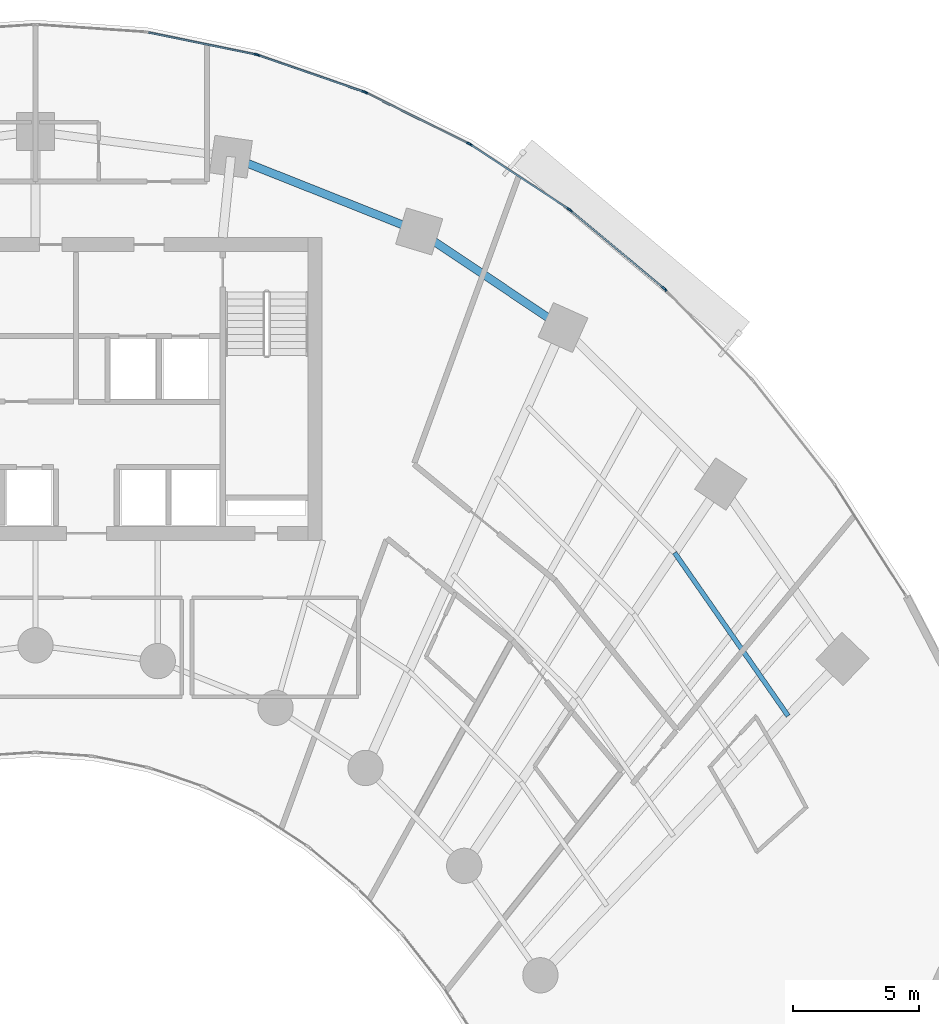
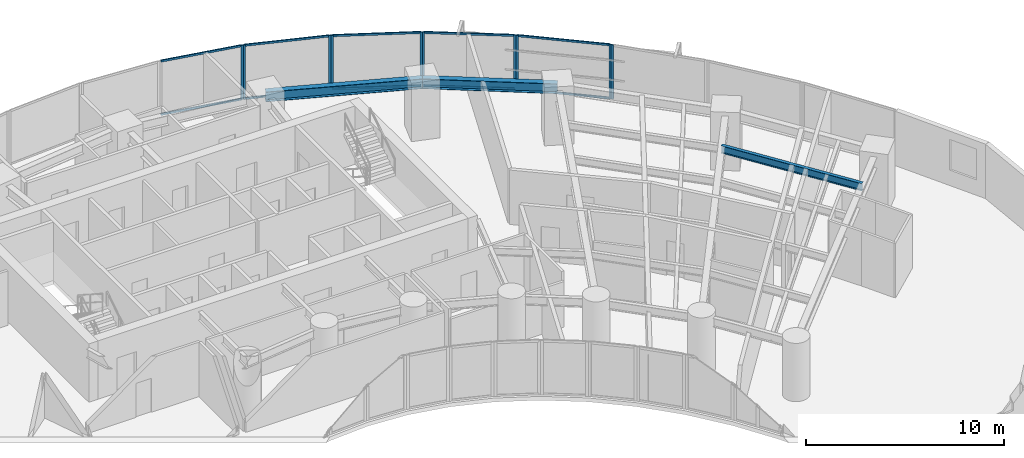
# One storey, part 7 of 17: 20 members, 3 beams, 6 elements without a shape of their own.
"""IFC4 building model written with IfcOpenShell, lengths in metres."""

from ifc_helpers import new_model, si_unit, direction, frame, origin, origin_2d, place, context, subcontext, project, spatial, rectangle, i_section, extrude, source, transform, mapped, material, layer, layer_set, material_profile, profile_set, type_object, type_shapes, element, aggregate, save


model = new_model("IFC4")

# Units and contexts
model_context = context("Model", 3, precision=1e-05, world=origin(), true_north=direction((0.0, 1.0)))
body_context = subcontext(model_context, "Body", "Model", "MODEL_VIEW")
ifc_project = project(units=[si_unit("LENGTHUNIT", "METRE"), si_unit("AREAUNIT", "SQUARE_METRE"), si_unit("VOLUMEUNIT", "CUBIC_METRE"), si_unit("PLANEANGLEUNIT", "RADIAN"), si_unit("MASSUNIT", "GRAM", prefix="KILO")], contexts=[model_context])

# Site, building, storey
site_placement = place(None, origin())
site = spatial("IfcSite", under=ifc_project, at=site_placement, CompositionType="ELEMENT")
building_placement = place(site_placement, origin())
building = spatial("IfcBuilding", under=site, at=building_placement, Name="Breltana Convention Tower", CompositionType="ELEMENT")
storey_placement = place(building_placement, frame((0.0, 0.0, 75.0)))
storey = spatial("IfcBuildingStorey", under=building, at=storey_placement, Name="L17", CompositionType="ELEMENT", Elevation=75.0)

# Beams
ifc_material_1 = material(Name="Steel ASTM A992 Grade 50", Category="steel")
ifc_material_profile_1 = material_profile(ifc_material_1, i_section(OverallWidth=0.323974609375, OverallDepth=0.611083984375, WebThickness=0.0126953125, FlangeThickness=0.01904296875, at=origin_2d()), Name="W24X104")
ifc_profile_set_1 = profile_set([ifc_material_profile_1], Name="Steel ASTM A992 Grade 50")
beam_type_1 = type_object("IfcBeamType", Name="BM-SP-W24X104", PredefinedType="SPANDREL", material=ifc_profile_set_1)
shared_shape_1 = source(origin(), body_context, "Body", "SweptSolid", [
    extrude(i_section(OverallWidth=0.323974609375, OverallDepth=0.611083984375, WebThickness=0.0126953125, FlangeThickness=0.01904296875, at=origin_2d()), origin(), (0.0, 0.0, 1.0), 8.028564453125),
])
beam_1_placement = place(storey_placement, frame((55.746826171875, 75.404296875, 3.054443359375), z_axis=(0.929459100394, -0.368925169507, 0.0), x_axis=(0.368925169507, 0.929459100394, 0.0)))
element("IfcBeam", 1, at=beam_1_placement, inside=storey, type_object=beam_type_1, Name="L17 Outer Spandrel Beam 07", PredefinedType="SPANDREL", context=body_context, shape_type="MappedRepresentation", body=[
    mapped(shared_shape_1, transform((0.0, 0.0, 0.0), scale=1.0)),
])
shared_shape_2 = source(origin(), body_context, "Body", "SweptSolid", [
    extrude(i_section(OverallWidth=0.323974609375, OverallDepth=0.611083984375, WebThickness=0.0126953125, FlangeThickness=0.01904296875, at=origin_2d()), origin(), (0.0, 0.0, 1.0), 6.856689453125),
])
beam_2_placement = place(storey_placement, frame((63.208984375, 72.4423828125, 3.054443359375), z_axis=(0.83150210718, -0.55552159792, 0.0), x_axis=(0.55552159792, 0.83150210718, 0.0)))
element("IfcBeam", 2, at=beam_2_placement, inside=storey, type_object=beam_type_1, Name="L17 Outer Spandrel Beam 08", PredefinedType="SPANDREL", context=body_context, shape_type="MappedRepresentation", body=[
    mapped(shared_shape_2, transform((0.0, 0.0, 0.0), scale=1.0)),
])
ifc_material_profile_2 = material_profile(ifc_material_1, i_section(OverallWidth=0.19091796875, OverallDepth=0.4599609375, WebThickness=0.010009765625, FlangeThickness=0.01611328125, at=origin_2d()), Name="W18X55")
ifc_profile_set_2 = profile_set([ifc_material_profile_2], Name="Steel ASTM A992 Grade 50")
beam_type_2 = type_object("IfcBeamType", Name="BM-JSG-07", PredefinedType="JOIST", material=ifc_profile_set_2)
shared_shape_3 = source(origin(), body_context, "Body", "SweptSolid", [
    extrude(i_section(OverallWidth=0.19091796875, OverallDepth=0.4599609375, WebThickness=0.010009765625, FlangeThickness=0.01611328125, at=origin_2d()), origin(), (0.0, 0.0, 1.0), 7.88037109375),
])
beam_3_placement = place(storey_placement, frame((73.3359375, 59.70556640625, 3.1298828125), z_axis=(0.571197916304, -0.820812366141, 0.0), x_axis=(0.820812366141, 0.571197916304, 0.0)))
element("IfcBeam", 3, at=beam_3_placement, inside=storey, type_object=beam_type_2, Name="L17 Composite Floor Joist 10.4", PredefinedType="JOIST", context=body_context, shape_type="MappedRepresentation", body=[
    mapped(shared_shape_3, transform((0.0, 0.0, 0.0), scale=1.0)),
])

# Curtain wall, member
ifc_material_2 = material(Name="Aluminium Anodised Bronze Frame", Category="aluminium")
ifc_layer = layer(ifc_material_2, 0.199951171875, Name="Aluminium Anodised Bronze Frame")
ifc_layer_set = layer_set([ifc_layer], Name="Aluminium Anodised Bronze Frame")
curtain_wall_type = type_object("IfcCurtainWallType", Name="CW-SYS-2", PredefinedType="NOTDEFINED", material=ifc_layer_set)
curtain_wall_1_placement = place(storey_placement, origin())
curtain_wall_1 = element("IfcCurtainWall", 4, at=curtain_wall_1_placement, inside=storey, type_object=curtain_wall_type, Name="L17 outer double-skin inner glazing 11", PredefinedType="NOTDEFINED")
ifc_material_3 = material(Name="Aluminium Anodised Bronze", Category="aluminium")
ifc_material_profile_3 = material_profile(ifc_material_3, rectangle(XDim=0.070068359375, YDim=0.175048828125, at=origin_2d()), Name="CWM-70X175")
ifc_profile_set_3 = profile_set([ifc_material_profile_3], Name="Aluminium Anodised Bronze")
member_type_1 = type_object("IfcMemberType", Name="CWM-175", PredefinedType="MULLION", material=ifc_profile_set_3)
shared_shape_4 = source(origin(), body_context, "Body", "SweptSolid", [
    extrude(rectangle(XDim=0.070068359375, YDim=0.175048828125, at=origin_2d()), origin(), (0.0, 0.0, 1.0), 3.360107421875),
])
type_shapes(member_type_1, [shared_shape_4])
member_1_placement = place(storey_placement, frame((56.7451171875, 79.45751953125, 0.0), z_axis=(0.0, 0.0, 1.0), x_axis=(0.200884537139, 0.979614925743, 0.0)))
member_1 = element("IfcMember", 5, at=member_1_placement, type_object=member_type_1, Name="CW-02 mullion 2", PredefinedType="MULLION", context=body_context, shape_type="MappedRepresentation", body=[
    mapped(shared_shape_4, transform((0.0, 0.0, 0.0), scale=1.0)),
])

# Curtain wall, members
curtain_wall_2_placement = place(storey_placement, origin())
curtain_wall_2 = element("IfcCurtainWall", 6, at=curtain_wall_2_placement, inside=storey, type_object=curtain_wall_type, Name="L17 outer double-skin inner glazing 12", PredefinedType="NOTDEFINED")
member_2_placement = place(storey_placement, frame((56.8125, 79.43896484375, 0.0), z_axis=(0.0, 0.0, 1.0), x_axis=(0.32742834581, 0.944876012163, 0.0)))
member_2 = element("IfcMember", 7, at=member_2_placement, type_object=member_type_1, Name="CW-02 mullion 1", PredefinedType="MULLION", context=body_context, shape_type="MappedRepresentation", body=[
    mapped(shared_shape_4, transform((0.0, 0.0, 0.0), scale=1.0)),
])
member_3_placement = place(storey_placement, frame((61.025146484375, 77.979248046875, 0.0), z_axis=(0.0, 0.0, 1.0), x_axis=(0.32742834581, 0.944876012163, 0.0)))
member_3 = element("IfcMember", 8, at=member_3_placement, type_object=member_type_1, Name="CW-02 mullion 2", PredefinedType="MULLION", context=body_context, shape_type="MappedRepresentation", body=[
    mapped(shared_shape_4, transform((0.0, 0.0, 0.0), scale=1.0)),
])

curtain_wall_3_placement = place(storey_placement, origin())
curtain_wall_3 = element("IfcCurtainWall", 9, at=curtain_wall_3_placement, inside=storey, type_object=curtain_wall_type, Name="L17 outer double-skin inner glazing 13", PredefinedType="NOTDEFINED")
member_4_placement = place(storey_placement, frame((61.089599609375, 77.9521484375, 0.0), z_axis=(0.0, 0.0, 1.0), x_axis=(0.444107703726, 0.895973407804, 0.0)))
member_4 = element("IfcMember", 10, at=member_4_placement, type_object=member_type_1, Name="CW-02 mullion 1", PredefinedType="MULLION", context=body_context, shape_type="MappedRepresentation", body=[
    mapped(shared_shape_4, transform((0.0, 0.0, 0.0), scale=1.0)),
])
member_5_placement = place(storey_placement, frame((65.1728515625, 75.92822265625, 0.0), z_axis=(0.0, 0.0, 1.0), x_axis=(0.444107703726, 0.895973407804, 0.0)))
member_5 = element("IfcMember", 11, at=member_5_placement, type_object=member_type_1, Name="CW-02 mullion 2", PredefinedType="MULLION", context=body_context, shape_type="MappedRepresentation", body=[
    mapped(shared_shape_4, transform((0.0, 0.0, 0.0), scale=1.0)),
])

curtain_wall_4_placement = place(storey_placement, origin())
curtain_wall_4 = element("IfcCurtainWall", 12, at=curtain_wall_4_placement, inside=storey, type_object=curtain_wall_type, Name="L17 outer double-skin inner glazing 14", PredefinedType="NOTDEFINED")
member_6_placement = place(storey_placement, frame((65.233642578125, 75.8935546875, 0.0), z_axis=(0.0, 0.0, 1.0), x_axis=(0.548784255746, 0.83596401875, 0.0)))
member_6 = element("IfcMember", 13, at=member_6_placement, type_object=member_type_1, Name="CW-02 mullion 1", PredefinedType="MULLION", context=body_context, shape_type="MappedRepresentation", body=[
    mapped(shared_shape_4, transform((0.0, 0.0, 0.0), scale=1.0)),
])
member_7_placement = place(storey_placement, frame((69.146484375, 73.32470703125, 0.0), z_axis=(0.0, 0.0, 1.0), x_axis=(0.548784255746, 0.83596401875, 0.0)))
member_7 = element("IfcMember", 14, at=member_7_placement, type_object=member_type_1, Name="CW-02 mullion 2", PredefinedType="MULLION", context=body_context, shape_type="MappedRepresentation", body=[
    mapped(shared_shape_4, transform((0.0, 0.0, 0.0), scale=1.0)),
])

curtain_wall_5_placement = place(storey_placement, origin())
curtain_wall_5 = element("IfcCurtainWall", 15, at=curtain_wall_5_placement, inside=storey, type_object=curtain_wall_type, Name="L17 outer double-skin inner glazing 15", PredefinedType="NOTDEFINED")
member_8_placement = place(storey_placement, frame((69.20263671875, 73.283203125, 0.0), z_axis=(0.0, 0.0, 1.0), x_axis=(0.640520193554, 0.767941326958, 0.0)))
member_8 = element("IfcMember", 16, at=member_8_placement, type_object=member_type_1, Name="CW-02 mullion 1", PredefinedType="MULLION", context=body_context, shape_type="MappedRepresentation", body=[
    mapped(shared_shape_4, transform((0.0, 0.0, 0.0), scale=1.0)),
])
member_9_placement = place(storey_placement, frame((72.90478515625, 70.1953125, 0.0), z_axis=(0.0, 0.0, 1.0), x_axis=(0.640520193554, 0.767941326958, 0.0)))
member_9 = element("IfcMember", 17, at=member_9_placement, type_object=member_type_1, Name="CW-02 mullion 2", PredefinedType="MULLION", context=body_context, shape_type="MappedRepresentation", body=[
    mapped(shared_shape_4, transform((0.0, 0.0, 0.0), scale=1.0)),
])

# Curtain wall, member
curtain_wall_6_placement = place(storey_placement, origin())
curtain_wall_6 = element("IfcCurtainWall", 18, at=curtain_wall_6_placement, inside=storey, type_object=curtain_wall_type, Name="L17 outer double-skin inner glazing 16", PredefinedType="NOTDEFINED")
member_10_placement = place(storey_placement, frame((72.955810546875, 70.147705078125, 0.0), z_axis=(0.0, 0.0, 1.0), x_axis=(0.719386421003, 0.694610090106, 0.0)))
member_10 = element("IfcMember", 19, at=member_10_placement, type_object=member_type_1, Name="CW-02 mullion 1", PredefinedType="MULLION", context=body_context, shape_type="MappedRepresentation", body=[
    mapped(shared_shape_4, transform((0.0, 0.0, 0.0), scale=1.0)),
])
aggregate(curtain_wall_6, [member_10])

# Member
ifc_material_profile_4 = material_profile(ifc_material_3, rectangle(XDim=0.070068359375, YDim=0.1201171875, at=origin_2d()), Name="CWT-70X120")
ifc_profile_set_4 = profile_set([ifc_material_profile_4], Name="Aluminium Anodised Bronze")
member_type_2 = type_object("IfcMemberType", Name="CWT-120", PredefinedType="USERDEFINED", material=ifc_profile_set_4)
shared_shape_5 = source(origin(), body_context, "Body", "SweptSolid", [
    extrude(rectangle(XDim=0.070068359375, YDim=0.1201171875, at=origin_2d()), origin(), (0.0, 0.0, 1.0), 4.7509765625),
])
member_11_placement = place(storey_placement, frame((69.2294921875, 73.2607421875, 0.034912109375), z_axis=(0.767951631807, -0.64050783852, 0.0), x_axis=(0.64050783852, 0.767951631807, 0.0)))
member_11 = element("IfcMember", 20, at=member_11_placement, type_object=member_type_2, Name="CW-02 transom 1.1", ObjectType="TRANSOM", PredefinedType="USERDEFINED", context=body_context, shape_type="MappedRepresentation", body=[
    mapped(shared_shape_5, transform((0.0, 0.0, 0.0), scale=1.0)),
])

member_12_placement = place(storey_placement, frame((69.2294921875, 73.2607421875, 3.324951171875), z_axis=(0.767951631807, -0.64050783852, 0.0), x_axis=(0.64050783852, 0.767951631807, 0.0)))
member_12 = element("IfcMember", 21, at=member_12_placement, type_object=member_type_2, Name="CW-02 transom 1.2", ObjectType="TRANSOM", PredefinedType="USERDEFINED", context=body_context, shape_type="MappedRepresentation", body=[
    mapped(shared_shape_5, transform((0.0, 0.0, 0.0), scale=1.0)),
])

aggregate(curtain_wall_5, [member_8, member_9, member_11, member_12])

shared_shape_6 = source(origin(), body_context, "Body", "SweptSolid", [
    extrude(rectangle(XDim=0.070068359375, YDim=0.1201171875, at=origin_2d()), origin(), (0.0, 0.0, 1.0), 4.610595703125),
])
member_13_placement = place(storey_placement, frame((65.262939453125, 75.874267578125, 0.034912109375), z_axis=(0.835956055104, -0.54879638659, 0.0), x_axis=(0.54879638659, 0.835956055104, 0.0)))
member_13 = element("IfcMember", 22, at=member_13_placement, type_object=member_type_2, Name="CW-02 transom 1.1", ObjectType="TRANSOM", PredefinedType="USERDEFINED", context=body_context, shape_type="MappedRepresentation", body=[
    mapped(shared_shape_6, transform((0.0, 0.0, 0.0), scale=1.0)),
])

member_14_placement = place(storey_placement, frame((65.262939453125, 75.874267578125, 3.324951171875), z_axis=(0.835956055104, -0.54879638659, 0.0), x_axis=(0.54879638659, 0.835956055104, 0.0)))
member_14 = element("IfcMember", 23, at=member_14_placement, type_object=member_type_2, Name="CW-02 transom 1.2", ObjectType="TRANSOM", PredefinedType="USERDEFINED", context=body_context, shape_type="MappedRepresentation", body=[
    mapped(shared_shape_6, transform((0.0, 0.0, 0.0), scale=1.0)),
])

aggregate(curtain_wall_4, [member_6, member_7, member_13, member_14])

shared_shape_7 = source(origin(), body_context, "Body", "SweptSolid", [
    extrude(rectangle(XDim=0.070068359375, YDim=0.1201171875, at=origin_2d()), origin(), (0.0, 0.0, 1.0), 4.487548828125),
])
member_15_placement = place(storey_placement, frame((61.120849609375, 77.936767578125, 0.034912109375), z_axis=(0.895977728863, -0.444098986017, 0.0), x_axis=(0.444098986017, 0.895977728863, 0.0)))
member_15 = element("IfcMember", 24, at=member_15_placement, type_object=member_type_2, Name="CW-02 transom 1.1", ObjectType="TRANSOM", PredefinedType="USERDEFINED", context=body_context, shape_type="MappedRepresentation", body=[
    mapped(shared_shape_7, transform((0.0, 0.0, 0.0), scale=1.0)),
])

member_16_placement = place(storey_placement, frame((61.120849609375, 77.936767578125, 3.324951171875), z_axis=(0.895977728863, -0.444098986017, 0.0), x_axis=(0.444098986017, 0.895977728863, 0.0)))
member_16 = element("IfcMember", 25, at=member_16_placement, type_object=member_type_2, Name="CW-02 transom 1.2", ObjectType="TRANSOM", PredefinedType="USERDEFINED", context=body_context, shape_type="MappedRepresentation", body=[
    mapped(shared_shape_7, transform((0.0, 0.0, 0.0), scale=1.0)),
])

aggregate(curtain_wall_3, [member_4, member_5, member_15, member_16])

shared_shape_8 = source(origin(), body_context, "Body", "SweptSolid", [
    extrude(rectangle(XDim=0.070068359375, YDim=0.1201171875, at=origin_2d()), origin(), (0.0, 0.0, 1.0), 4.38818359375),
])
member_17_placement = place(storey_placement, frame((56.845703125, 79.427490234375, 0.034912109375), z_axis=(0.944878203019, -0.32742202348, 0.0), x_axis=(0.32742202348, 0.944878203019, 0.0)))
member_17 = element("IfcMember", 26, at=member_17_placement, type_object=member_type_2, Name="CW-02 transom 1.1", ObjectType="TRANSOM", PredefinedType="USERDEFINED", context=body_context, shape_type="MappedRepresentation", body=[
    mapped(shared_shape_8, transform((0.0, 0.0, 0.0), scale=1.0)),
])

member_18_placement = place(storey_placement, frame((56.845703125, 79.427490234375, 3.324951171875), z_axis=(0.944878203019, -0.32742202348, 0.0), x_axis=(0.32742202348, 0.944878203019, 0.0)))
member_18 = element("IfcMember", 27, at=member_18_placement, type_object=member_type_2, Name="CW-02 transom 1.2", ObjectType="TRANSOM", PredefinedType="USERDEFINED", context=body_context, shape_type="MappedRepresentation", body=[
    mapped(shared_shape_8, transform((0.0, 0.0, 0.0), scale=1.0)),
])

aggregate(curtain_wall_2, [member_2, member_3, member_17, member_18])

shared_shape_9 = source(origin(), body_context, "Body", "SweptSolid", [
    extrude(rectangle(XDim=0.070068359375, YDim=0.1201171875, at=origin_2d()), origin(), (0.0, 0.0, 1.0), 4.318359375),
])
member_19_placement = place(storey_placement, frame((52.480712890625, 80.33203125, 0.034912109375), z_axis=(0.979616680923, -0.200875977799, 0.0), x_axis=(0.200875977799, 0.979616680923, 0.0)))
member_19 = element("IfcMember", 28, at=member_19_placement, type_object=member_type_2, Name="CW-02 transom 1.1", ObjectType="TRANSOM", PredefinedType="USERDEFINED", context=body_context, shape_type="MappedRepresentation", body=[
    mapped(shared_shape_9, transform((0.0, 0.0, 0.0), scale=1.0)),
])

member_20_placement = place(storey_placement, frame((52.480712890625, 80.33203125, 3.324951171875), z_axis=(0.979616680923, -0.200875977799, 0.0), x_axis=(0.200875977799, 0.979616680923, 0.0)))
member_20 = element("IfcMember", 29, at=member_20_placement, type_object=member_type_2, Name="CW-02 transom 1.2", ObjectType="TRANSOM", PredefinedType="USERDEFINED", context=body_context, shape_type="MappedRepresentation", body=[
    mapped(shared_shape_9, transform((0.0, 0.0, 0.0), scale=1.0)),
])

aggregate(curtain_wall_1, [member_1, member_19, member_20])

save(model, "model.ifc")
